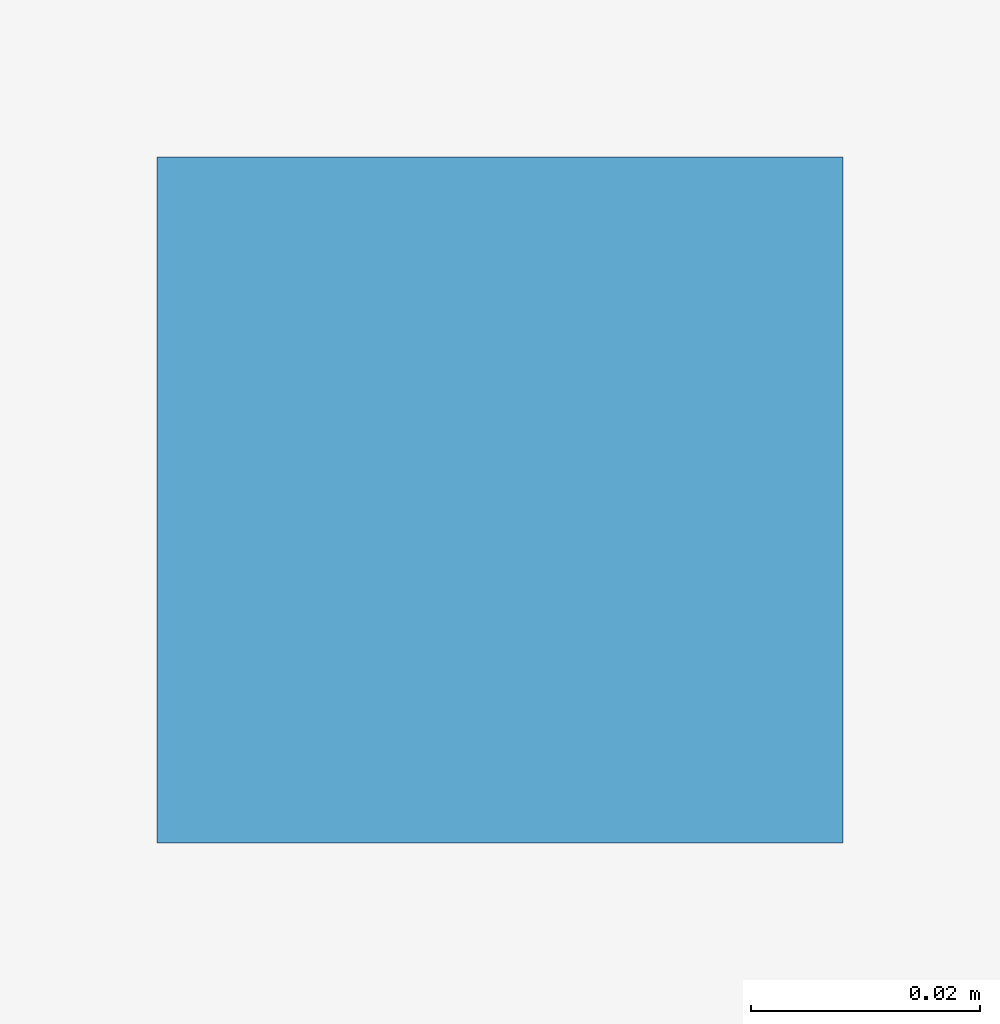
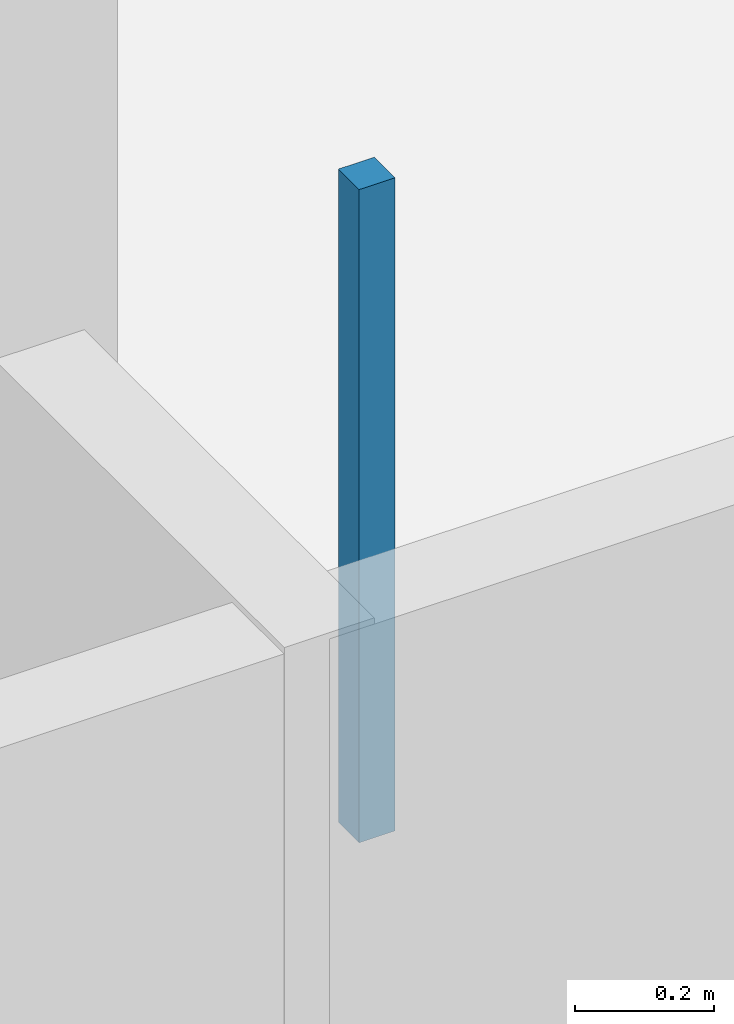
# One storey, part 71 of 93: 1 discrete accessory.
"""IFC4 building model written with IfcOpenShell, lengths in metres."""

from ifc_helpers import new_model, si_unit, direction, frame, origin, place, context, subcontext, project, spatial, polyline, outline, extrude, material, type_object, element, save


model = new_model("IFC4")

# Units and contexts
model_context = context("Model", 3, precision=1e-05, world=origin(), true_north=direction((0.0, 1.0)))
body_context = subcontext(model_context, "Body", "Model", "MODEL_VIEW")
ifc_project = project(units=[si_unit("LENGTHUNIT", "METRE"), si_unit("AREAUNIT", "SQUARE_METRE"), si_unit("VOLUMEUNIT", "CUBIC_METRE"), si_unit("PLANEANGLEUNIT", "RADIAN"), si_unit("MASSUNIT", "GRAM", prefix="KILO")], contexts=[model_context])

# Site, building, storey
site_placement = place(None, origin())
site = spatial("IfcSite", under=ifc_project, at=site_placement, CompositionType="ELEMENT")
building_placement = place(site_placement, origin())
building = spatial("IfcBuilding", under=site, at=building_placement, Name="Dunescarp Central Library", CompositionType="ELEMENT")
storey_placement = place(building_placement, frame((0.0, 0.0, 14.10009765625)))
storey = spatial("IfcBuildingStorey", under=building, at=storey_placement, Name="L03", CompositionType="ELEMENT", Elevation=14.10009765625)

# Discrete accessory
ifc_material = material(Name="Stainless steel Grade 316L", Category="steel")
discrete_accessory_type = type_object("IfcDiscreteAccessoryType", Name="ARC-ACC-BRK", PredefinedType="BRACKET", material=ifc_material)
discrete_accessory_placement = place(storey_placement, frame((0.0, 0.0, 3.059814453125)))
element("IfcDiscreteAccessory", 1, at=discrete_accessory_placement, inside=storey, type_object=discrete_accessory_type, Name="L03 ceiling hanger CLG-L03-108-H1", PredefinedType="BRACKET", context=body_context, shape_type="SweptSolid", body=[
    extrude(outline(polyline([(89.820068359375, 12.1201171875), (89.8798828125, 12.1201171875), (89.8798828125, 12.179931640625), (89.820068359375, 12.179931640625), (89.820068359375, 12.1201171875)])), origin(), (0.0, 0.0, 1.0), 1.150146484375),
])

save(model, "model.ifc")
